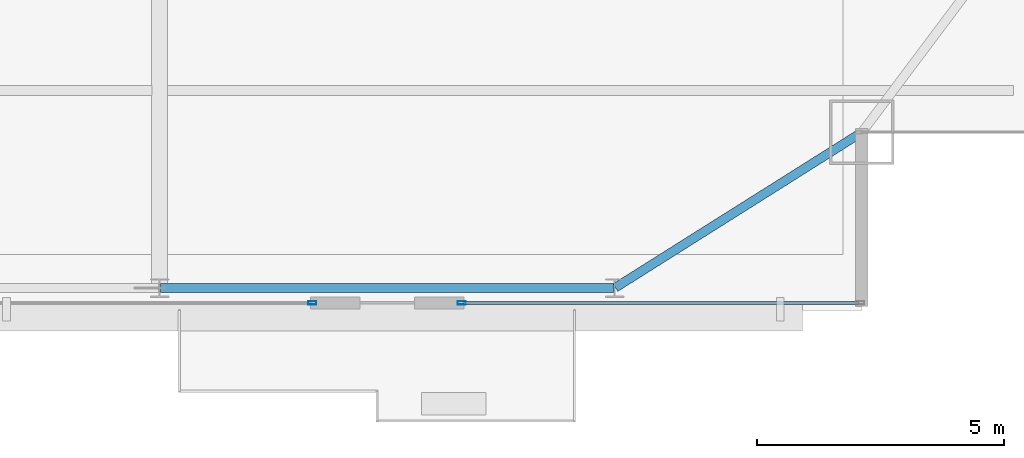
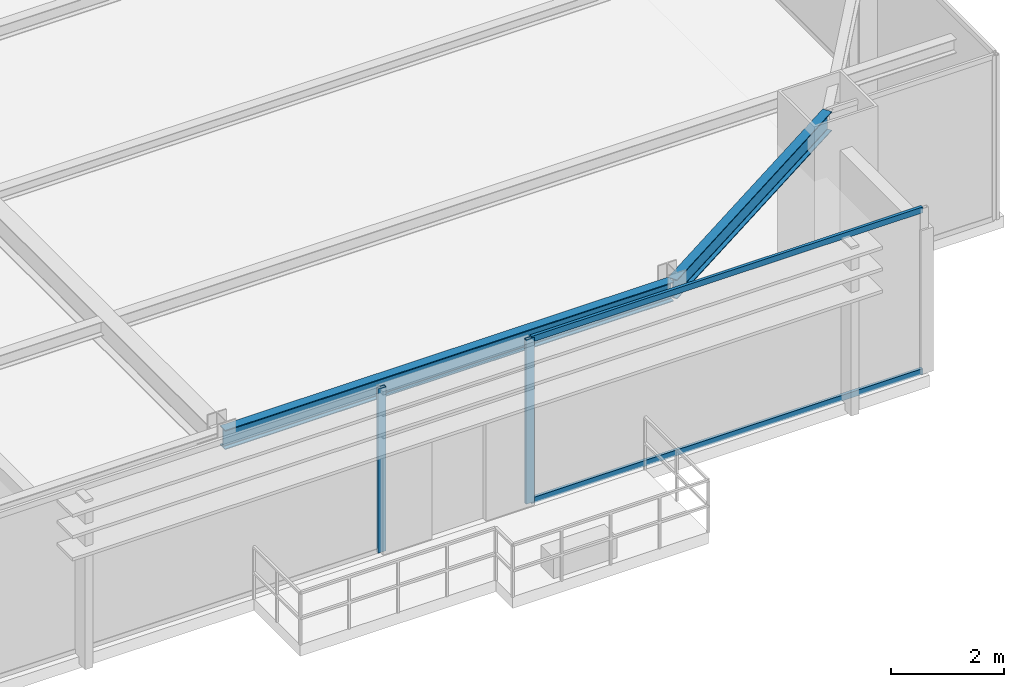
# One storey, part 14 of 31: 4 members, 2 beams, 2 elements without a shape of their own.
"""IFC4 building model written with IfcOpenShell, lengths in metres."""

import ifcopenshell
import ifcopenshell.guid

model = None  # the IFC model being written
_history = None  # IfcOwnerHistory: only IFC2X3 demands one
_inside = {}  # id of a spatial element -> (the spatial element, [elements in it])
_under = {}  # id of a project, library or spatial element -> (it, [spatial elements below it])
_declared = {}  # id of a project -> (the project, [libraries it declares])
_typed = {}  # id of a type object -> (the type object, [elements of that type])
_made_of = {}  # id of a material, layer set ... -> (it, [elements and type objects made of it])


def new_model(schema):
    """Start an empty IFC model of exactly this schema.

    Asked for "IFC4X3", IfcOpenShell would pick the latest addendum, in which some entities
    have other attributes; the version numbers below select the first issue.
    IFC2X3 requires an IfcOwnerHistory on every rooted entity: one is made here for all.
    """
    global model, _history
    if schema == "IFC4X3":
        model = ifcopenshell.file(schema_version=(4, 3, 0, 0))
    else:
        model = ifcopenshell.file(schema=schema)
    _inside.clear()
    _under.clear()
    _declared.clear()
    _typed.clear()
    _made_of.clear()
    _history = None
    if model.schema == "IFC2X3":
        org = make("IfcOrganization", Name="unknown")
        user = make(
            "IfcPersonAndOrganization",
            ThePerson=make("IfcPerson", FamilyName="unknown"),
            TheOrganization=org,
        )
        app = make(
            "IfcApplication",
            ApplicationDeveloper=org,
            Version="unknown",
            ApplicationFullName="unknown",
            ApplicationIdentifier="unknown",
        )
        _history = make(
            "IfcOwnerHistory",
            OwningUser=user,
            OwningApplication=app,
            ChangeAction="ADDED",
            CreationDate=0,
        )
    return model


def make(cls, **values):
    """One entity of the class cls with the attributes given. An attribute that is None is left unset."""
    return model.create_entity(
        cls, **{name: value for name, value in values.items() if value is not None}
    )


def rooted(cls, **values):
    """An entity with a GlobalId (a new one), such as an element, a storey or a relation."""
    return make(cls, GlobalId=ifcopenshell.guid.new(), OwnerHistory=_history, **values)


def si_unit(unit_type, name, prefix=None):
    """IfcSIUnit, for example si_unit("LENGTHUNIT", "METRE", prefix="MILLI")."""
    return make("IfcSIUnit", UnitType=unit_type, Prefix=prefix, Name=name)


def assignment(units):
    """IfcUnitAssignment: the units of a project."""
    return None if units is None else make("IfcUnitAssignment", Units=units)


def point(xyz):
    """IfcCartesianPoint."""
    return None if xyz is None else make("IfcCartesianPoint", Coordinates=xyz)


def direction(xyz):
    """IfcDirection."""
    return None if xyz is None else make("IfcDirection", DirectionRatios=xyz)


def frame(location, z_axis=None, x_axis=None):
    """IfcAxis2Placement3D, a coordinate frame: its origin and axes. An axis left out is left unset."""
    return make(
        "IfcAxis2Placement3D",
        Location=point(location),
        Axis=direction(z_axis),
        RefDirection=direction(x_axis),
    )


def frame_2d(location, x_axis=None):
    """IfcAxis2Placement2D, a coordinate frame in the plane: its origin and x axis."""
    return make(
        "IfcAxis2Placement2D", Location=point(location), RefDirection=direction(x_axis)
    )


def origin():
    """The frame at (0, 0, 0) with its axes left unset."""
    return frame((0.0, 0.0, 0.0))


def origin_2d():
    """The frame at (0, 0) in the plane with its x axis left unset."""
    return frame_2d((0.0, 0.0))


def place(relative_to, where):
    """IfcLocalPlacement: puts the frame where relative to a parent placement (None: the world)."""
    return make(
        "IfcLocalPlacement", PlacementRelTo=relative_to, RelativePlacement=where
    )


def context(
    kind, dimensions, precision=None, world=None, true_north=None, identifier=None
):
    """IfcGeometricRepresentationContext, for example the 3D "Model" context."""
    return make(
        "IfcGeometricRepresentationContext",
        ContextIdentifier=identifier,
        ContextType=kind,
        CoordinateSpaceDimension=dimensions,
        Precision=precision,
        WorldCoordinateSystem=world,
        TrueNorth=true_north,
    )


def subcontext(parent, identifier, kind, view, scale=None):
    """IfcGeometricRepresentationSubContext, for example "Body" below "Model"."""
    return make(
        "IfcGeometricRepresentationSubContext",
        ContextIdentifier=identifier,
        ContextType=kind,
        ParentContext=parent,
        TargetScale=scale,
        TargetView=view,
    )


def project(units=None, contexts=None):
    """IfcProject with its units and contexts."""
    return rooted(
        "IfcProject",
        Name="project",
        RepresentationContexts=contexts,
        UnitsInContext=assignment(units),
    )


def spatial(cls, under=None, at=None, **own):
    """A site, building, storey or space (cls), placed at a placement, below another one or the project."""
    s = rooted(cls, ObjectPlacement=at, **own)
    if under is not None:
        _under.setdefault(under.id(), (under, []))[1].append(s)
    return s


def profile(cls, at=None, kind="AREA", **sizes):
    """A parametric profile (cls). Its sizes go by their IFC names, for example OverallWidth=200.0."""
    return make(cls, ProfileType=kind, Position=at, **sizes)


def hollow_rectangle(**sizes):
    """IfcRectangleHollowProfileDef."""
    return profile("IfcRectangleHollowProfileDef", **sizes)


def i_section(**sizes):
    """IfcIShapeProfileDef."""
    return profile("IfcIShapeProfileDef", **sizes)


def extrude(swept, where, along, depth):
    """IfcExtrudedAreaSolid: the profile swept, set in the frame where, extruded along a direction by depth."""
    return make(
        "IfcExtrudedAreaSolid",
        SweptArea=swept,
        Position=where,
        ExtrudedDirection=direction(along),
        Depth=depth,
    )


def shape(context_of_items, identifier, shape_type, items):
    """IfcShapeRepresentation: the items that make up one representation, for example the "Body"."""
    return make(
        "IfcShapeRepresentation",
        ContextOfItems=context_of_items,
        RepresentationIdentifier=identifier,
        RepresentationType=shape_type,
        Items=items,
    )


def source(mapping_origin, context_of_items, identifier, shape_type, items):
    """IfcRepresentationMap: a shape defined once, which mapped items show again and again."""
    return make(
        "IfcRepresentationMap",
        MappingOrigin=mapping_origin,
        MappedRepresentation=shape(context_of_items, identifier, shape_type, items),
    )


def transform(
    local_origin,
    x_axis=None,
    y_axis=None,
    z_axis=None,
    scale=None,
    scale2=None,
    scale3=None,
    uniform=True,
):
    """IfcCartesianTransformationOperator3D, or its non-uniform kind. x_axis, y_axis, z_axis: its Axis1, 2, 3."""
    if uniform:
        return make(
            "IfcCartesianTransformationOperator3D",
            Axis1=direction(x_axis),
            Axis2=direction(y_axis),
            LocalOrigin=point(local_origin),
            Scale=scale,
            Axis3=direction(z_axis),
        )
    return make(
        "IfcCartesianTransformationOperator3DnonUniform",
        Axis1=direction(x_axis),
        Axis2=direction(y_axis),
        LocalOrigin=point(local_origin),
        Scale=scale,
        Axis3=direction(z_axis),
        Scale2=scale2,
        Scale3=scale3,
    )


def mapped(mapping_source, mapping_target):
    """IfcMappedItem: shows the shape of a source again, moved by a transform."""
    return make(
        "IfcMappedItem", MappingSource=mapping_source, MappingTarget=mapping_target
    )


def material(Name=None, Category=None):
    """IfcMaterial."""
    return make("IfcMaterial", Name=Name, Category=Category)


def layer(
    of_material, thickness, ventilated=None, Name=None, Category=None, Priority=None
):
    """IfcMaterialLayer: one layer of a wall or slab, of a material (None: an air gap)."""
    return make(
        "IfcMaterialLayer",
        Material=of_material,
        LayerThickness=thickness,
        IsVentilated=ventilated,
        Name=Name,
        Category=Category,
        Priority=Priority,
    )


def layer_set(layers, Name=None):
    """IfcMaterialLayerSet."""
    return make("IfcMaterialLayerSet", MaterialLayers=layers, LayerSetName=Name)


def material_profile(
    of_material, cross_section, Name=None, Category=None, Priority=None
):
    """IfcMaterialProfile: a cross section and its material."""
    return make(
        "IfcMaterialProfile",
        Name=Name,
        Material=of_material,
        Profile=cross_section,
        Priority=Priority,
        Category=Category,
    )


def profile_set(profiles, Name=None, composite=None):
    """IfcMaterialProfileSet."""
    return make(
        "IfcMaterialProfileSet",
        Name=Name,
        MaterialProfiles=profiles,
        CompositeProfile=composite,
    )


def made_of(thing, what):
    """Note that an element or type object is made of a material, layer set ...; save() writes the relation."""
    if what is not None:
        _made_of.setdefault(what.id(), (what, []))[1].append(thing)
    return thing


def type_object(cls, material=None, **own):
    """A type object (cls), such as IfcWallType, which elements share."""
    return made_of(rooted(cls, **own), material)


def type_shapes(of_type, sources):
    """Give a type object the sources (RepresentationMaps) that its elements show as mapped items."""
    of_type.RepresentationMaps = sources


def element(
    cls,
    number,
    at=None,
    inside=None,
    cuts=None,
    type_object=None,
    material=None,
    context=None,
    identifier="Body",
    shape_type=None,
    held_by="IfcProductDefinitionShape",
    body=None,
    shapes=None,
    **own,
):
    """One element of the class cls, such as IfcWall. Its Tag is "e" and its number.

    at: its placement. inside: the storey or other place that contains it. cuts: it is an
    opening in that element (IfcRelVoidsElement). A single representation is given by context,
    identifier, shape_type and body (its items); several are given by shapes. held_by: the class
    of the entity that holds the representations. save() writes the other relations.
    """
    e = rooted(cls, Tag="e%d" % number, ObjectPlacement=at, **own)
    if body is not None:
        shapes = [shape(context, identifier, shape_type, body)]
    if shapes is not None:
        e.Representation = make(held_by, Representations=shapes)
    if inside is not None:
        _inside.setdefault(inside.id(), (inside, []))[1].append(e)
    if cuts is not None:
        rooted(
            "IfcRelVoidsElement", RelatingBuildingElement=cuts, RelatedOpeningElement=e
        )
    if type_object is not None:
        _typed.setdefault(type_object.id(), (type_object, []))[1].append(e)
    return made_of(e, material)


def aggregate(whole, parts):
    """IfcRelAggregates: a whole, such as a stair, and the parts it consists of."""
    return rooted("IfcRelAggregates", RelatingObject=whole, RelatedObjects=parts)


def save(model, path):
    """Write the relations noted so far, then the file.

    IfcRelAggregates (storeys below a building ...), IfcRelContainedInSpatialStructure (elements
    in a storey), IfcRelDefinesByType, IfcRelAssociatesMaterial and IfcRelDeclares: one each for
    every whole, place, type object, material and project.
    """
    for whole, parts in _under.values():
        aggregate(whole, parts)
    for where, things in _inside.values():
        rooted(
            "IfcRelContainedInSpatialStructure",
            RelatedElements=things,
            RelatingStructure=where,
        )
    for kind, things in _typed.values():
        rooted("IfcRelDefinesByType", RelatedObjects=things, RelatingType=kind)
    for what, things in _made_of.values():
        rooted("IfcRelAssociatesMaterial", RelatedObjects=things, RelatingMaterial=what)
    for by, libraries in _declared.values():
        rooted("IfcRelDeclares", RelatingContext=by, RelatedDefinitions=libraries)
    model.write(path)


model = new_model("IFC4")

# Units and contexts
model_context = context("Model", 3, precision=1e-05, world=origin(), true_north=direction((0.0, 1.0)))
body_context = subcontext(model_context, "Body", "Model", "MODEL_VIEW")
ifc_project = project(units=[si_unit("LENGTHUNIT", "METRE"), si_unit("AREAUNIT", "SQUARE_METRE"), si_unit("VOLUMEUNIT", "CUBIC_METRE"), si_unit("PLANEANGLEUNIT", "RADIAN"), si_unit("MASSUNIT", "GRAM", prefix="KILO")], contexts=[model_context])

# Site, building, storey
site_placement = place(None, origin())
site = spatial("IfcSite", under=ifc_project, at=site_placement, CompositionType="ELEMENT")
building_placement = place(site_placement, origin())
building = spatial("IfcBuilding", under=site, at=building_placement, Name="Varnel Quay Broadcast Tower", CompositionType="ELEMENT")
storey_placement = place(building_placement, frame((0.0, 0.0, 157.199951171875)))
storey = spatial("IfcBuildingStorey", under=building, at=storey_placement, Name="L38", CompositionType="ELEMENT", Elevation=157.199951171875)

# Beams
ifc_material_1 = material(Name="Structural Steel CSA G40.21 350W", Category="steel")
ifc_material_profile_1 = material_profile(ifc_material_1, i_section(OverallWidth=0.180908203125, OverallDepth=0.4169921875, WebThickness=0.010986328125, FlangeThickness=0.018310546875, FilletRadius=0.011962890625, at=origin_2d()), Name="W410X85")
ifc_profile_set_1 = profile_set([ifc_material_profile_1], Name="Structural Steel CSA G40.21 350W")
beam_type = type_object("IfcBeamType", Name="Beam_W410X85", PredefinedType="SPANDREL", material=ifc_profile_set_1)
shared_shape_1 = source(origin(), body_context, "Body", "SweptSolid", [
    extrude(i_section(OverallWidth=0.180908203125, OverallDepth=0.4169921875, WebThickness=0.010986328125, FlangeThickness=0.018310546875, FilletRadius=0.011962890625, at=origin_2d()), origin(), (0.0, 0.0, 1.0), 9.159912109375),
])
beam_1_placement = place(storey_placement, frame((43.219970703125, 7.64990234375, 3.341552734375), z_axis=(1.0, 0.0, 0.0), x_axis=(0.0, 1.0, 0.0)))
element("IfcBeam", 1, at=beam_1_placement, inside=storey, type_object=beam_type, Name="L38 South Spandrel TC-S4-TC-S5", PredefinedType="SPANDREL", context=body_context, shape_type="MappedRepresentation", body=[
    mapped(shared_shape_1, transform((0.0, 0.0, 0.0), x_axis=(1.0, 0.0, 0.0), y_axis=(0.0, 1.0, 0.0), z_axis=(0.0, 0.0, 1.0), scale=1.0)),
])
shared_shape_2 = source(origin(), body_context, "Body", "SweptSolid", [
    extrude(i_section(OverallWidth=0.180908203125, OverallDepth=0.4169921875, WebThickness=0.010986328125, FlangeThickness=0.018310546875, FilletRadius=0.011962890625, at=origin_2d()), origin(), (0.0, 0.0, 1.0), 5.869384765625),
])
type_shapes(beam_type, [shared_shape_1, shared_shape_2])
beam_2_placement = place(storey_placement, frame((52.4169921875, 7.66064453125, 3.341552734375), z_axis=(0.846088328928, 0.533042718412, 0.0), x_axis=(-0.533042718412, 0.846088328928, 0.0)))
element("IfcBeam", 2, at=beam_2_placement, inside=storey, type_object=beam_type, Name="L38 South Spandrel TC-S5-MC-SE", PredefinedType="SPANDREL", context=body_context, shape_type="MappedRepresentation", body=[
    mapped(shared_shape_2, transform((0.0, 0.0, 0.0), x_axis=(1.0, 0.0, 0.0), y_axis=(0.0, 1.0, 0.0), z_axis=(0.0, 0.0, 1.0), scale=1.0)),
])

# Curtain wall, member
ifc_material_2 = material(Name="Anodised Bronze Aluminium 6063-T6", Category="aluminium")
ifc_layer = layer(ifc_material_2, 0.18994140625, Name="Anodised Bronze Aluminium 6063-T6")
ifc_layer_set = layer_set([ifc_layer], Name="Anodised Bronze Aluminium 6063-T6")
curtain_wall_type = type_object("IfcCurtainWallType", Name="CW_UpperTower", PredefinedType="NOTDEFINED", material=ifc_layer_set)
curtain_wall_1_placement = place(storey_placement, origin())
curtain_wall_1 = element("IfcCurtainWall", 3, at=curtain_wall_1_placement, inside=storey, type_object=curtain_wall_type, Name="L38 South Unitised Curtain Wall 2", PredefinedType="NOTDEFINED")
ifc_material_profile_2 = material_profile(ifc_material_2, hollow_rectangle(XDim=0.06494140625, YDim=0.1650390625, WallThickness=0.00341796875, at=origin_2d()), Name="ALU65X165X3.5")
ifc_profile_set_2 = profile_set([ifc_material_profile_2], Name="Anodised Bronze Aluminium 6063-T6")
member_type_1 = type_object("IfcMemberType", Name="Mull_CWS-03", PredefinedType="MULLION", material=ifc_profile_set_2)
shared_shape_3 = source(origin(), body_context, "Body", "SweptSolid", [
    extrude(hollow_rectangle(XDim=0.06494140625, YDim=0.1650390625, WallThickness=0.00341796875, at=origin_2d()), origin(), (0.0, 0.0, 1.0), 3.550048828125),
])
type_shapes(member_type_1, [shared_shape_3])
member_1_placement = place(storey_placement, frame((46.28759765625, 7.35009765625, 0.0), z_axis=(0.0, 0.0, 1.0), x_axis=(0.0, 1.0, 0.0)))
member_1 = element("IfcMember", 4, at=member_1_placement, type_object=member_type_1, Name="CWS-03 mullion 3", PredefinedType="MULLION", context=body_context, shape_type="MappedRepresentation", body=[
    mapped(shared_shape_3, transform((0.0, 0.0, 0.0), x_axis=(1.0, 0.0, 0.0), y_axis=(0.0, 1.0, 0.0), z_axis=(0.0, 0.0, 1.0), scale=1.0)),
])
aggregate(curtain_wall_1, [member_1])

# Curtain wall, members
curtain_wall_2_placement = place(storey_placement, origin())
curtain_wall_2 = element("IfcCurtainWall", 5, at=curtain_wall_2_placement, inside=storey, type_object=curtain_wall_type, Name="L38 South Unitised Curtain Wall 3", PredefinedType="NOTDEFINED")
member_2_placement = place(storey_placement, frame((49.3125, 7.35009765625, 0.0), z_axis=(0.0, 0.0, 1.0), x_axis=(0.0, 1.0, 0.0)))
member_2 = element("IfcMember", 6, at=member_2_placement, type_object=member_type_1, Name="CWS-03 mullion 1", PredefinedType="MULLION", context=body_context, shape_type="MappedRepresentation", body=[
    mapped(shared_shape_3, transform((0.0, 0.0, 0.0), x_axis=(1.0, 0.0, 0.0), y_axis=(0.0, 1.0, 0.0), z_axis=(0.0, 0.0, 1.0), scale=1.0)),
])
ifc_material_profile_3 = material_profile(ifc_material_2, hollow_rectangle(XDim=0.06005859375, YDim=0.125, WallThickness=0.0029296875, at=origin_2d()), Name="ALU60X125X3")
ifc_profile_set_3 = profile_set([ifc_material_profile_3], Name="Anodised Bronze Aluminium 6063-T6")
member_type_2 = type_object("IfcMemberType", Name="Tran_CWS-03", PredefinedType="USERDEFINED", material=ifc_profile_set_3)
shared_shape_4 = source(origin(), body_context, "Body", "SweptSolid", [
    extrude(hollow_rectangle(XDim=0.06005859375, YDim=0.125, WallThickness=0.0029296875, at=origin_2d()), origin(), (0.0, 0.0, 1.0), 7.989990234375),
])
type_shapes(member_type_2, [shared_shape_4])
member_3_placement = place(storey_placement, frame((49.344970703125, 7.35009765625, 0.030029296875), z_axis=(1.0, 0.0, 0.0), x_axis=(0.0, 1.0, 0.0)))
member_3 = element("IfcMember", 7, at=member_3_placement, type_object=member_type_2, Name="CWS-03 transom 1.1", ObjectType="TRANSOM", PredefinedType="USERDEFINED", context=body_context, shape_type="MappedRepresentation", body=[
    mapped(shared_shape_4, transform((0.0, 0.0, 0.0), x_axis=(1.0, 0.0, 0.0), y_axis=(0.0, 1.0, 0.0), z_axis=(0.0, 0.0, 1.0), scale=1.0)),
])
member_4_placement = place(storey_placement, frame((49.344970703125, 7.35009765625, 3.52001953125), z_axis=(1.0, 0.0, 0.0), x_axis=(0.0, 1.0, 0.0)))
member_4 = element("IfcMember", 8, at=member_4_placement, type_object=member_type_2, Name="CWS-03 transom 1.2", ObjectType="TRANSOM", PredefinedType="USERDEFINED", context=body_context, shape_type="MappedRepresentation", body=[
    mapped(shared_shape_4, transform((0.0, 0.0, 0.0), x_axis=(1.0, 0.0, 0.0), y_axis=(0.0, 1.0, 0.0), z_axis=(0.0, 0.0, 1.0), scale=1.0)),
])
aggregate(curtain_wall_2, [member_2, member_3, member_4])

save(model, "model.ifc")
